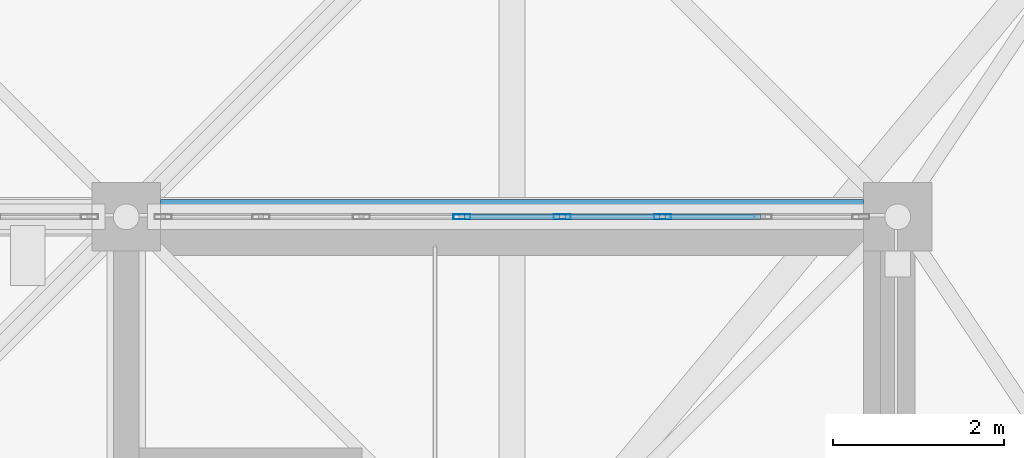
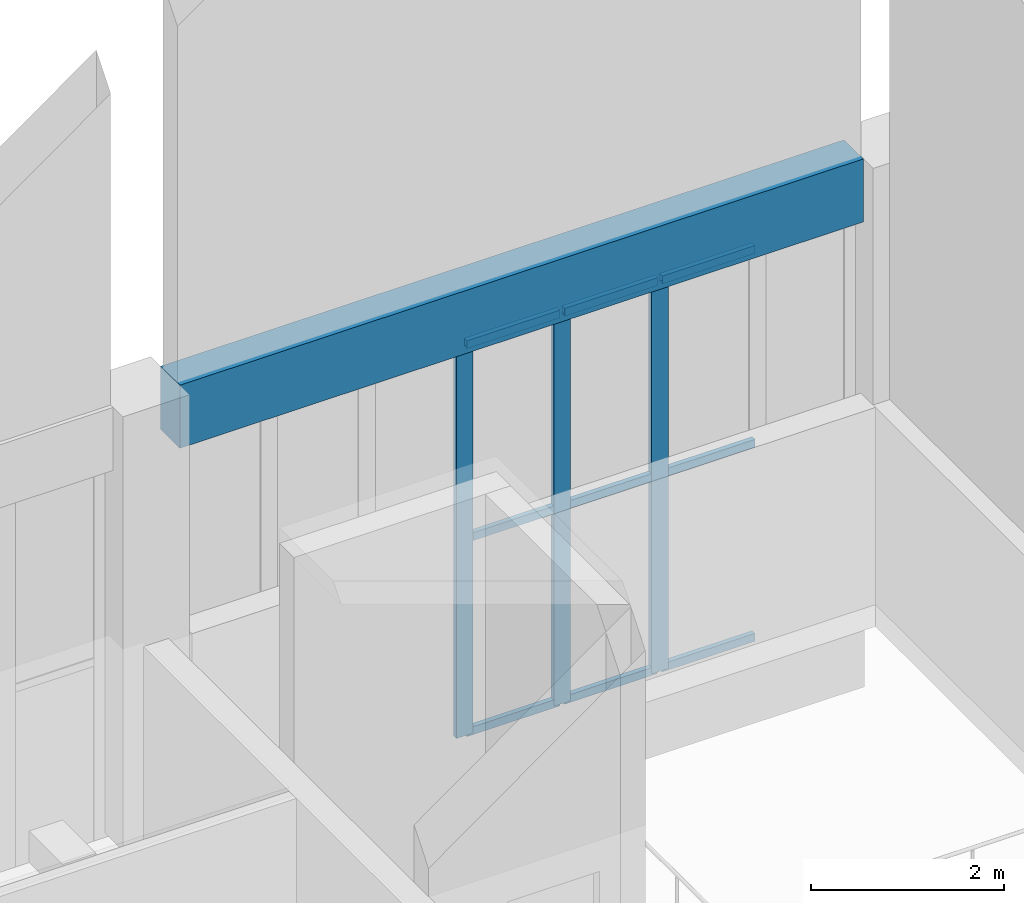
# One storey, part 143 of 437: 12 members, 1 beam, 1 element without a shape of its own.
"""IFC4 building model written with IfcOpenShell, lengths in metres."""

from ifc_helpers import new_model, si_unit, direction, frame, origin, origin_2d, place, context, subcontext, project, spatial, rectangle, hollow_rectangle, extrude, material, layer, layer_set, material_profile, profile_set, type_object, element, aggregate, save


model = new_model("IFC4")

# Units and contexts
model_context = context("Model", 3, precision=1e-05, world=origin(), true_north=direction((0.0, 1.0)))
body_context = subcontext(model_context, "Body", "Model", "MODEL_VIEW")
ifc_project = project(units=[si_unit("LENGTHUNIT", "METRE"), si_unit("AREAUNIT", "SQUARE_METRE"), si_unit("VOLUMEUNIT", "CUBIC_METRE"), si_unit("PLANEANGLEUNIT", "RADIAN"), si_unit("MASSUNIT", "GRAM", prefix="KILO")], contexts=[model_context])

# Site, building, storey
site_placement = place(None, origin())
site = spatial("IfcSite", under=ifc_project, at=site_placement, CompositionType="ELEMENT")
building_placement = place(site_placement, origin())
building = spatial("IfcBuilding", under=site, at=building_placement, Name="Opaline Strait Convention Centre", CompositionType="ELEMENT")
storey_placement = place(building_placement, frame((0.0, 0.0, 11.5)))
storey = spatial("IfcBuildingStorey", under=building, at=storey_placement, Name="L02", CompositionType="ELEMENT", Elevation=11.5)

# Curtain wall, members
ifc_material_1 = material(Name="Aluminium framed double glazing", Category="aluminium")
ifc_layer = layer(ifc_material_1, 0.199951171875)
ifc_layer_set = layer_set([ifc_layer], Name="Aluminium framed double glazing")
curtain_wall_type = type_object("IfcCurtainWallType", Name="Curtain wall 1250", PredefinedType="NOTDEFINED", material=ifc_layer_set)
curtain_wall_placement = place(storey_placement, origin())
curtain_wall = element("IfcCurtainWall", 1, at=curtain_wall_placement, inside=storey, type_object=curtain_wall_type, Name="Curtain wall N-63-L02", PredefinedType="NOTDEFINED")
ifc_material_2 = material(Name="Aluminium alloy 6063", Category="aluminium")
ifc_material_profile_1 = material_profile(ifc_material_2, hollow_rectangle(XDim=0.06005859375, YDim=0.199951171875, WallThickness=0.00390625, at=origin_2d()), Name="MULLION 60x200x4")
ifc_profile_set_1 = profile_set([ifc_material_profile_1], Name="Aluminium alloy 6063")
member_type_1 = type_object("IfcMemberType", Name="Curtain wall mullion 60 x 200", PredefinedType="MULLION", material=ifc_profile_set_1)
member_1_placement = place(storey_placement, frame((66.914306640625, 180.0, -0.280029296875), z_axis=(0.0, 0.0, 1.0), x_axis=(0.0, 1.0, 0.0)))
member_1 = element("IfcMember", 2, at=member_1_placement, type_object=member_type_1, Name="PCW mullion 4", PredefinedType="MULLION", context=body_context, shape_type="SweptSolid", body=[
    extrude(hollow_rectangle(XDim=0.06005859375, YDim=0.199951171875, WallThickness=0.00390625, at=origin_2d()), origin(), (0.0, 0.0, 1.0), 4.97998046875),
])
member_2_placement = place(storey_placement, frame((68.085693359375, 180.0, -0.280029296875), z_axis=(0.0, 0.0, 1.0), x_axis=(0.0, 1.0, 0.0)))
member_2 = element("IfcMember", 3, at=member_2_placement, type_object=member_type_1, Name="PCW mullion 5", PredefinedType="MULLION", context=body_context, shape_type="SweptSolid", body=[
    extrude(hollow_rectangle(XDim=0.06005859375, YDim=0.199951171875, WallThickness=0.00390625, at=origin_2d()), origin(), (0.0, 0.0, 1.0), 4.97998046875),
])
member_3_placement = place(storey_placement, frame((69.257080078125, 180.0, -0.280029296875), z_axis=(0.0, 0.0, 1.0), x_axis=(0.0, 1.0, 0.0)))
member_3 = element("IfcMember", 4, at=member_3_placement, type_object=member_type_1, Name="PCW mullion 6", PredefinedType="MULLION", context=body_context, shape_type="SweptSolid", body=[
    extrude(hollow_rectangle(XDim=0.06005859375, YDim=0.199951171875, WallThickness=0.00390625, at=origin_2d()), origin(), (0.0, 0.0, 1.0), 4.97998046875),
])
ifc_material_profile_2 = material_profile(ifc_material_2, hollow_rectangle(XDim=0.06005859375, YDim=0.10009765625, WallThickness=0.0029296875, at=origin_2d()), Name="TRANSOM 60x100x3")
ifc_profile_set_2 = profile_set([ifc_material_profile_2], Name="Aluminium alloy 6063")
member_type_2 = type_object("IfcMemberType", Name="Curtain wall transom 60 x 100", PredefinedType="USERDEFINED", material=ifc_profile_set_2)
member_4_placement = place(storey_placement, frame((66.9443359375, 180.0, -0.25), z_axis=(1.0, 0.0, 0.0), x_axis=(0.0, 1.0, 0.0)))
member_4 = element("IfcMember", 5, at=member_4_placement, type_object=member_type_2, Name="PCW transom 4.1", ObjectType="TRANSOM", PredefinedType="USERDEFINED", context=body_context, shape_type="SweptSolid", body=[
    extrude(hollow_rectangle(XDim=0.06005859375, YDim=0.10009765625, WallThickness=0.0029296875, at=origin_2d()), origin(), (0.0, 0.0, 1.0), 1.111328125),
])
member_5_placement = place(storey_placement, frame((66.9443359375, 180.0, 2.2099609375), z_axis=(1.0, 0.0, 0.0), x_axis=(0.0, 1.0, 0.0)))
member_5 = element("IfcMember", 6, at=member_5_placement, type_object=member_type_2, Name="PCW transom 4.2", ObjectType="TRANSOM", PredefinedType="USERDEFINED", context=body_context, shape_type="SweptSolid", body=[
    extrude(hollow_rectangle(XDim=0.06005859375, YDim=0.10009765625, WallThickness=0.0029296875, at=origin_2d()), origin(), (0.0, 0.0, 1.0), 1.111328125),
])
member_6_placement = place(storey_placement, frame((66.9443359375, 180.0, 4.669921875), z_axis=(1.0, 0.0, 0.0), x_axis=(0.0, 1.0, 0.0)))
member_6 = element("IfcMember", 7, at=member_6_placement, type_object=member_type_2, Name="PCW transom 4.3", ObjectType="TRANSOM", PredefinedType="USERDEFINED", context=body_context, shape_type="SweptSolid", body=[
    extrude(hollow_rectangle(XDim=0.06005859375, YDim=0.10009765625, WallThickness=0.0029296875, at=origin_2d()), origin(), (0.0, 0.0, 1.0), 1.111328125),
])
member_7_placement = place(storey_placement, frame((68.11572265625, 180.0, -0.25), z_axis=(1.0, 0.0, 0.0), x_axis=(0.0, 1.0, 0.0)))
member_7 = element("IfcMember", 8, at=member_7_placement, type_object=member_type_2, Name="PCW transom 5.1", ObjectType="TRANSOM", PredefinedType="USERDEFINED", context=body_context, shape_type="SweptSolid", body=[
    extrude(hollow_rectangle(XDim=0.06005859375, YDim=0.10009765625, WallThickness=0.0029296875, at=origin_2d()), origin(), (0.0, 0.0, 1.0), 1.111572265625),
])
member_8_placement = place(storey_placement, frame((68.11572265625, 180.0, 2.2099609375), z_axis=(1.0, 0.0, 0.0), x_axis=(0.0, 1.0, 0.0)))
member_8 = element("IfcMember", 9, at=member_8_placement, type_object=member_type_2, Name="PCW transom 5.2", ObjectType="TRANSOM", PredefinedType="USERDEFINED", context=body_context, shape_type="SweptSolid", body=[
    extrude(hollow_rectangle(XDim=0.06005859375, YDim=0.10009765625, WallThickness=0.0029296875, at=origin_2d()), origin(), (0.0, 0.0, 1.0), 1.111572265625),
])
member_9_placement = place(storey_placement, frame((68.11572265625, 180.0, 4.669921875), z_axis=(1.0, 0.0, 0.0), x_axis=(0.0, 1.0, 0.0)))
member_9 = element("IfcMember", 10, at=member_9_placement, type_object=member_type_2, Name="PCW transom 5.3", ObjectType="TRANSOM", PredefinedType="USERDEFINED", context=body_context, shape_type="SweptSolid", body=[
    extrude(hollow_rectangle(XDim=0.06005859375, YDim=0.10009765625, WallThickness=0.0029296875, at=origin_2d()), origin(), (0.0, 0.0, 1.0), 1.111572265625),
])
member_10_placement = place(storey_placement, frame((69.287109375, 180.0, -0.25), z_axis=(1.0, 0.0, 0.0), x_axis=(0.0, 1.0, 0.0)))
member_10 = element("IfcMember", 11, at=member_10_placement, type_object=member_type_2, Name="PCW transom 6.1", ObjectType="TRANSOM", PredefinedType="USERDEFINED", context=body_context, shape_type="SweptSolid", body=[
    extrude(hollow_rectangle(XDim=0.06005859375, YDim=0.10009765625, WallThickness=0.0029296875, at=origin_2d()), origin(), (0.0, 0.0, 1.0), 1.111572265625),
])
member_11_placement = place(storey_placement, frame((69.287109375, 180.0, 2.2099609375), z_axis=(1.0, 0.0, 0.0), x_axis=(0.0, 1.0, 0.0)))
member_11 = element("IfcMember", 12, at=member_11_placement, type_object=member_type_2, Name="PCW transom 6.2", ObjectType="TRANSOM", PredefinedType="USERDEFINED", context=body_context, shape_type="SweptSolid", body=[
    extrude(hollow_rectangle(XDim=0.06005859375, YDim=0.10009765625, WallThickness=0.0029296875, at=origin_2d()), origin(), (0.0, 0.0, 1.0), 1.111572265625),
])
member_12_placement = place(storey_placement, frame((69.287109375, 180.0, 4.669921875), z_axis=(1.0, 0.0, 0.0), x_axis=(0.0, 1.0, 0.0)))
member_12 = element("IfcMember", 13, at=member_12_placement, type_object=member_type_2, Name="PCW transom 6.3", ObjectType="TRANSOM", PredefinedType="USERDEFINED", context=body_context, shape_type="SweptSolid", body=[
    extrude(hollow_rectangle(XDim=0.06005859375, YDim=0.10009765625, WallThickness=0.0029296875, at=origin_2d()), origin(), (0.0, 0.0, 1.0), 1.111572265625),
])
aggregate(curtain_wall, [member_1, member_2, member_3, member_4, member_5, member_6, member_7, member_8, member_9, member_10, member_11, member_12])

# Beam
ifc_material_3 = material(Name="Concrete C35", Category="concrete")
ifc_material_profile_3 = material_profile(ifc_material_3, rectangle(XDim=0.39990234375, YDim=0.800048828125, at=origin_2d()), Name="RC 400x800")
ifc_profile_set_3 = profile_set([ifc_material_profile_3], Name="Concrete C35")
beam_type = type_object("IfcBeamType", Name="RC ground beam 400x800 C35", PredefinedType="BEAM", material=ifc_profile_set_3)
beam_placement = place(storey_placement, frame((63.39990234375, 180.0, 5.10009765625), z_axis=(1.0, 0.0, 0.0), x_axis=(0.0, 1.0, 0.0)))
element("IfcBeam", 14, at=beam_placement, inside=storey, type_object=beam_type, Name="PGB1 end wall head beam 7", PredefinedType="BEAM", context=body_context, shape_type="SweptSolid", body=[
    extrude(rectangle(XDim=0.39990234375, YDim=0.800048828125, at=origin_2d()), origin(), (0.0, 0.0, 1.0), 8.2001953125),
])

save(model, "model.ifc")
